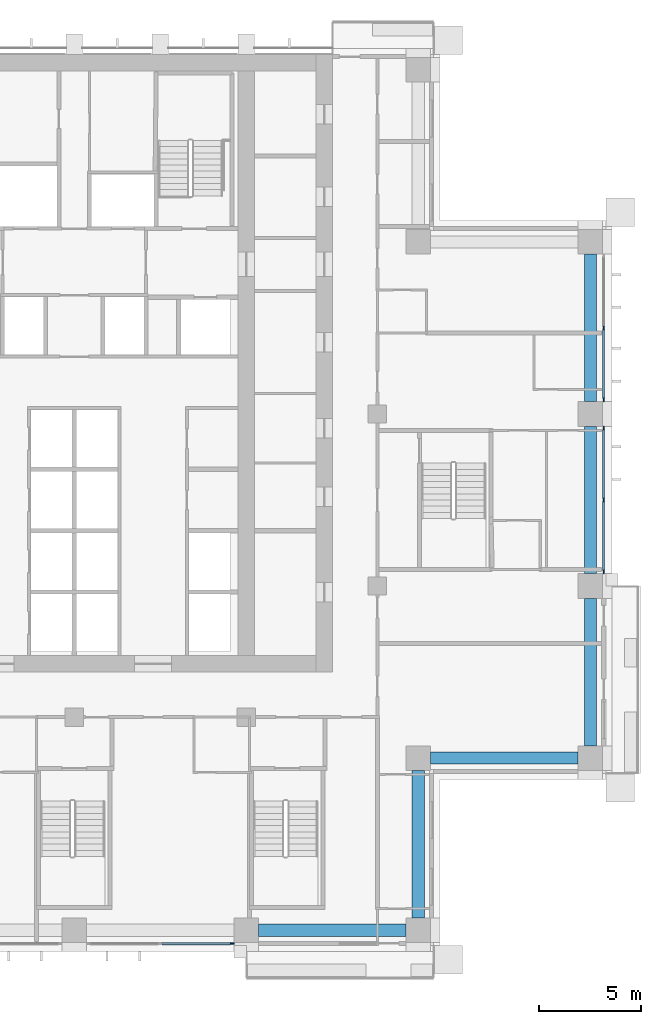
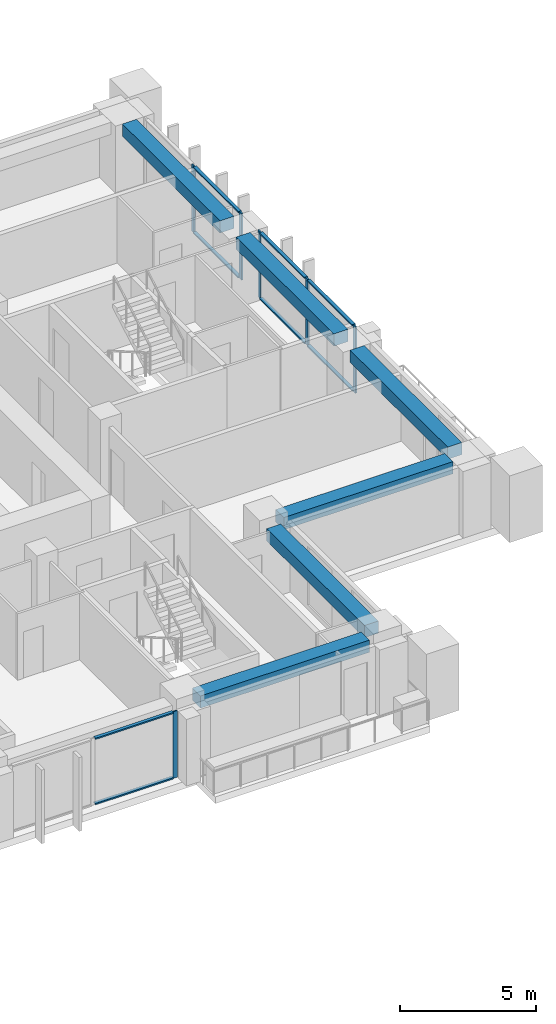
# One storey, part 5 of 21: 14 members, 6 beams, 3 elements without a shape of their own.
"""IFC4 building model written with IfcOpenShell, lengths in metres."""

from ifc_helpers import new_model, si_unit, direction, frame, origin, origin_2d, place, context, subcontext, project, spatial, rectangle, extrude, material, material_profile, profile_set, type_object, element, aggregate, save


model = new_model("IFC4")

# Units and contexts
model_context = context("Model", 3, precision=1e-05, world=origin(), true_north=direction((0.0, 1.0)))
body_context = subcontext(model_context, "Body", "Model", "MODEL_VIEW")
ifc_project = project(units=[si_unit("LENGTHUNIT", "METRE"), si_unit("AREAUNIT", "SQUARE_METRE"), si_unit("VOLUMEUNIT", "CUBIC_METRE"), si_unit("PLANEANGLEUNIT", "RADIAN"), si_unit("MASSUNIT", "GRAM", prefix="KILO")], contexts=[model_context])

# Site, building, storey
site_placement = place(None, origin())
site = spatial("IfcSite", under=ifc_project, at=site_placement, CompositionType="ELEMENT")
building_placement = place(site_placement, origin())
building = spatial("IfcBuilding", under=site, at=building_placement, Name="Vermilion Ogive Tower", CompositionType="ELEMENT")
storey_placement = place(building_placement, frame((0.0, 0.0, 118.35009765625)))
storey = spatial("IfcBuildingStorey", under=building, at=storey_placement, Name="L30", CompositionType="ELEMENT", Elevation=118.35009765625)

# Curtain wall, member
ifc_material_1 = material(Name="Low-iron laminated glazing in aluminium frame", Category="aluminium")
curtain_wall_type = type_object("IfcCurtainWallType", Name="Curtain wall CW7", PredefinedType="NOTDEFINED", material=ifc_material_1)
curtain_wall_1_placement = place(storey_placement, origin())
curtain_wall_1 = element("IfcCurtainWall", 1, at=curtain_wall_1_placement, inside=storey, type_object=curtain_wall_type, Name="Glazed skin S3", PredefinedType="NOTDEFINED")
ifc_material_2 = material(Name="Aluminium mullion", Category="aluminium")
ifc_material_profile_1 = material_profile(ifc_material_2, rectangle(XDim=0.06005859375, YDim=0.179931640625, at=origin_2d()), Name="AL 60x180")
ifc_profile_set_1 = profile_set([ifc_material_profile_1], Name="Aluminium mullion")
member_type_1 = type_object("IfcMemberType", Name="CW7 mullion 60x180", PredefinedType="MULLION", material=ifc_profile_set_1)
member_1_placement = place(storey_placement, frame((7.7099609375, -21.64990234375, 0.0), z_axis=(0.0, 0.0, 1.0), x_axis=(0.0, 1.0, 0.0)))
member_1 = element("IfcMember", 2, at=member_1_placement, type_object=member_type_1, Name="CW7-S3 mullion 3", PredefinedType="MULLION", context=body_context, shape_type="SweptSolid", body=[
    extrude(rectangle(XDim=0.06005859375, YDim=0.179931640625, at=origin_2d()), origin(), (0.0, 0.0, 1.0), 3.0),
])

# Curtain wall, members
curtain_wall_2_placement = place(storey_placement, origin())
curtain_wall_2 = element("IfcCurtainWall", 3, at=curtain_wall_2_placement, inside=storey, type_object=curtain_wall_type, Name="Glazed skin E2", PredefinedType="NOTDEFINED")
member_2_placement = place(storey_placement, frame((25.85009765625, -3.510009765625, 0.0), z_axis=(0.0, 0.0, 1.0), x_axis=(-1.0, 0.0, 0.0)))
member_2 = element("IfcMember", 4, at=member_2_placement, type_object=member_type_1, Name="CW7-E2 mullion 1", PredefinedType="MULLION", context=body_context, shape_type="SweptSolid", body=[
    extrude(rectangle(XDim=0.06005859375, YDim=0.179931640625, at=origin_2d()), origin(), (0.0, 0.0, 1.0), 3.0),
])
member_3_placement = place(storey_placement, frame((25.85009765625, 0.0, 0.0), z_axis=(0.0, 0.0, 1.0), x_axis=(-1.0, 0.0, 0.0)))
member_3 = element("IfcMember", 5, at=member_3_placement, type_object=member_type_1, Name="CW7-E2 mullion 2", PredefinedType="MULLION", context=body_context, shape_type="SweptSolid", body=[
    extrude(rectangle(XDim=0.06005859375, YDim=0.179931640625, at=origin_2d()), origin(), (0.0, 0.0, 1.0), 3.0),
])
member_4_placement = place(storey_placement, frame((25.85009765625, 3.510009765625, 0.0), z_axis=(0.0, 0.0, 1.0), x_axis=(-1.0, 0.0, 0.0)))
member_4 = element("IfcMember", 6, at=member_4_placement, type_object=member_type_1, Name="CW7-E2 mullion 3", PredefinedType="MULLION", context=body_context, shape_type="SweptSolid", body=[
    extrude(rectangle(XDim=0.06005859375, YDim=0.179931640625, at=origin_2d()), origin(), (0.0, 0.0, 1.0), 3.0),
])

curtain_wall_3_placement = place(storey_placement, origin())
curtain_wall_3 = element("IfcCurtainWall", 7, at=curtain_wall_3_placement, inside=storey, type_object=curtain_wall_type, Name="Glazed skin E3", PredefinedType="NOTDEFINED")
member_5_placement = place(storey_placement, frame((25.85009765625, 4.889892578125, 0.0), z_axis=(0.0, 0.0, 1.0), x_axis=(-1.0, 0.0, 0.0)))
member_5 = element("IfcMember", 8, at=member_5_placement, type_object=member_type_1, Name="CW7-E3 mullion 1", PredefinedType="MULLION", context=body_context, shape_type="SweptSolid", body=[
    extrude(rectangle(XDim=0.06005859375, YDim=0.179931640625, at=origin_2d()), origin(), (0.0, 0.0, 1.0), 3.0),
])
member_6_placement = place(storey_placement, frame((25.85009765625, 8.39990234375, 0.0), z_axis=(0.0, 0.0, 1.0), x_axis=(-1.0, 0.0, 0.0)))
member_6 = element("IfcMember", 9, at=member_6_placement, type_object=member_type_1, Name="CW7-E3 mullion 2", PredefinedType="MULLION", context=body_context, shape_type="SweptSolid", body=[
    extrude(rectangle(XDim=0.06005859375, YDim=0.179931640625, at=origin_2d()), origin(), (0.0, 0.0, 1.0), 3.0),
])

# Member
ifc_material_3 = material(Name="Aluminium transom", Category="aluminium")
ifc_material_profile_2 = material_profile(ifc_material_3, rectangle(XDim=0.139892578125, YDim=0.06005859375, at=origin_2d()), Name="AL 60x140")
ifc_profile_set_2 = profile_set([ifc_material_profile_2], Name="Aluminium transom")
member_type_2 = type_object("IfcMemberType", Name="CW7 transom 60x140", PredefinedType="USERDEFINED", material=ifc_profile_set_2)
member_7_placement = place(storey_placement, frame((4.2900390625, -21.64990234375, 0.02978515625), z_axis=(1.0, 0.0, 0.0), x_axis=(0.0, 1.0, 0.0)))
member_7 = element("IfcMember", 10, at=member_7_placement, type_object=member_type_2, Name="CW7-S3 transom 2.1", ObjectType="TRANSOM", PredefinedType="USERDEFINED", context=body_context, shape_type="SweptSolid", body=[
    extrude(rectangle(XDim=0.139892578125, YDim=0.06005859375, at=origin_2d()), origin(), (0.0, 0.0, 1.0), 3.330078125),
])

member_8_placement = place(storey_placement, frame((4.2900390625, -21.64990234375, 2.969970703125), z_axis=(1.0, 0.0, 0.0), x_axis=(0.0, 1.0, 0.0)))
member_8 = element("IfcMember", 11, at=member_8_placement, type_object=member_type_2, Name="CW7-S3 transom 2.2", ObjectType="TRANSOM", PredefinedType="USERDEFINED", context=body_context, shape_type="SweptSolid", body=[
    extrude(rectangle(XDim=0.139892578125, YDim=0.06005859375, at=origin_2d()), origin(), (0.0, 0.0, 1.0), 3.330078125),
])

aggregate(curtain_wall_1, [member_1, member_7, member_8])

member_9_placement = place(storey_placement, frame((25.85009765625, -3.419921875, 0.02978515625), z_axis=(0.0, 1.0, 0.0), x_axis=(-1.0, 0.0, 0.0)))
member_9 = element("IfcMember", 12, at=member_9_placement, type_object=member_type_2, Name="CW7-E2 transom 1.1", ObjectType="TRANSOM", PredefinedType="USERDEFINED", context=body_context, shape_type="SweptSolid", body=[
    extrude(rectangle(XDim=0.139892578125, YDim=0.06005859375, at=origin_2d()), origin(), (0.0, 0.0, 1.0), 3.329833984375),
])

member_10_placement = place(storey_placement, frame((25.85009765625, -3.419921875, 2.969970703125), z_axis=(0.0, 1.0, 0.0), x_axis=(-1.0, 0.0, 0.0)))
member_10 = element("IfcMember", 13, at=member_10_placement, type_object=member_type_2, Name="CW7-E2 transom 1.2", ObjectType="TRANSOM", PredefinedType="USERDEFINED", context=body_context, shape_type="SweptSolid", body=[
    extrude(rectangle(XDim=0.139892578125, YDim=0.06005859375, at=origin_2d()), origin(), (0.0, 0.0, 1.0), 3.329833984375),
])

member_11_placement = place(storey_placement, frame((25.85009765625, 0.090087890625, 0.02978515625), z_axis=(0.0, 1.0, 0.0), x_axis=(-1.0, 0.0, 0.0)))
member_11 = element("IfcMember", 14, at=member_11_placement, type_object=member_type_2, Name="CW7-E2 transom 2.1", ObjectType="TRANSOM", PredefinedType="USERDEFINED", context=body_context, shape_type="SweptSolid", body=[
    extrude(rectangle(XDim=0.139892578125, YDim=0.06005859375, at=origin_2d()), origin(), (0.0, 0.0, 1.0), 3.329833984375),
])

member_12_placement = place(storey_placement, frame((25.85009765625, 0.090087890625, 2.969970703125), z_axis=(0.0, 1.0, 0.0), x_axis=(-1.0, 0.0, 0.0)))
member_12 = element("IfcMember", 15, at=member_12_placement, type_object=member_type_2, Name="CW7-E2 transom 2.2", ObjectType="TRANSOM", PredefinedType="USERDEFINED", context=body_context, shape_type="SweptSolid", body=[
    extrude(rectangle(XDim=0.139892578125, YDim=0.06005859375, at=origin_2d()), origin(), (0.0, 0.0, 1.0), 3.329833984375),
])

aggregate(curtain_wall_2, [member_2, member_3, member_4, member_9, member_10, member_11, member_12])

member_13_placement = place(storey_placement, frame((25.85009765625, 4.97998046875, 0.02978515625), z_axis=(0.0, 1.0, 0.0), x_axis=(-1.0, 0.0, 0.0)))
member_13 = element("IfcMember", 16, at=member_13_placement, type_object=member_type_2, Name="CW7-E3 transom 1.1", ObjectType="TRANSOM", PredefinedType="USERDEFINED", context=body_context, shape_type="SweptSolid", body=[
    extrude(rectangle(XDim=0.139892578125, YDim=0.06005859375, at=origin_2d()), origin(), (0.0, 0.0, 1.0), 3.330078125),
])

member_14_placement = place(storey_placement, frame((25.85009765625, 4.97998046875, 2.969970703125), z_axis=(0.0, 1.0, 0.0), x_axis=(-1.0, 0.0, 0.0)))
member_14 = element("IfcMember", 17, at=member_14_placement, type_object=member_type_2, Name="CW7-E3 transom 1.2", ObjectType="TRANSOM", PredefinedType="USERDEFINED", context=body_context, shape_type="SweptSolid", body=[
    extrude(rectangle(XDim=0.139892578125, YDim=0.06005859375, at=origin_2d()), origin(), (0.0, 0.0, 1.0), 3.330078125),
])

aggregate(curtain_wall_3, [member_5, member_6, member_13, member_14])

# Beams
ifc_material_4 = material(Name="Concrete B45", Category="concrete")
ifc_material_profile_3 = material_profile(ifc_material_4, rectangle(XDim=0.60009765625, YDim=0.550048828125, at=origin_2d()), Name="600 x 550")
ifc_profile_set_3 = profile_set([ifc_material_profile_3], Name="Concrete B45")
beam_type = type_object("IfcBeamType", Name="Edge beam 600 x 550 B45", PredefinedType="BEAM", material=ifc_profile_set_3)
for number, where, z_axis, x_axis, name in (
    (18, (9.0, -21.0, 2.724853515625), (1.0, 0.0, 0.0), (0.0, 1.0, 0.0), "L30-EB-4"),
    (19, (16.800048828125, -20.39990234375, 2.724853515625), (0.0, 1.0, 0.0), (-1.0, 0.0, 0.0), "L30-EB-5"),
):
    element("IfcBeam", number, at=place(storey_placement, frame(where, z_axis=z_axis, x_axis=x_axis)), inside=storey, type_object=beam_type, Name=name, PredefinedType="BEAM", context=body_context, shape_type="SweptSolid", body=[
        extrude(rectangle(XDim=0.60009765625, YDim=0.550048828125, at=origin_2d()), origin(), (0.0, 0.0, 1.0), 7.199951171875),
    ])
beam_1_placement = place(storey_placement, frame((17.39990234375, -12.60009765625, 2.724853515625), z_axis=(1.0, 0.0, 0.0), x_axis=(0.0, 1.0, 0.0)))
element("IfcBeam", 20, at=beam_1_placement, inside=storey, type_object=beam_type, Name="L30-EB-6", PredefinedType="BEAM", context=body_context, shape_type="SweptSolid", body=[
    extrude(rectangle(XDim=0.60009765625, YDim=0.550048828125, at=origin_2d()), origin(), (0.0, 0.0, 1.0), 7.2001953125),
])
beam_2_placement = place(storey_placement, frame((25.199951171875, -12.0, 2.724853515625), z_axis=(0.0, 1.0, 0.0), x_axis=(-1.0, 0.0, 0.0)))
element("IfcBeam", 21, at=beam_2_placement, inside=storey, type_object=beam_type, Name="L30-EB-7", PredefinedType="BEAM", context=body_context, shape_type="SweptSolid", body=[
    extrude(rectangle(XDim=0.60009765625, YDim=0.550048828125, at=origin_2d()), origin(), (0.0, 0.0, 1.0), 7.199951171875),
])
beam_3_placement = place(storey_placement, frame((25.199951171875, -3.60009765625, 2.724853515625), z_axis=(0.0, 1.0, 0.0), x_axis=(-1.0, 0.0, 0.0)))
element("IfcBeam", 22, at=beam_3_placement, inside=storey, type_object=beam_type, Name="L30-EB-8", PredefinedType="BEAM", context=body_context, shape_type="SweptSolid", body=[
    extrude(rectangle(XDim=0.60009765625, YDim=0.550048828125, at=origin_2d()), origin(), (0.0, 0.0, 1.0), 7.2001953125),
])
beam_4_placement = place(storey_placement, frame((25.199951171875, 4.800048828125, 2.724853515625), z_axis=(0.0, 1.0, 0.0), x_axis=(-1.0, 0.0, 0.0)))
element("IfcBeam", 23, at=beam_4_placement, inside=storey, type_object=beam_type, Name="L30-EB-9", PredefinedType="BEAM", context=body_context, shape_type="SweptSolid", body=[
    extrude(rectangle(XDim=0.60009765625, YDim=0.550048828125, at=origin_2d()), origin(), (0.0, 0.0, 1.0), 7.199951171875),
])

save(model, "model.ifc")
